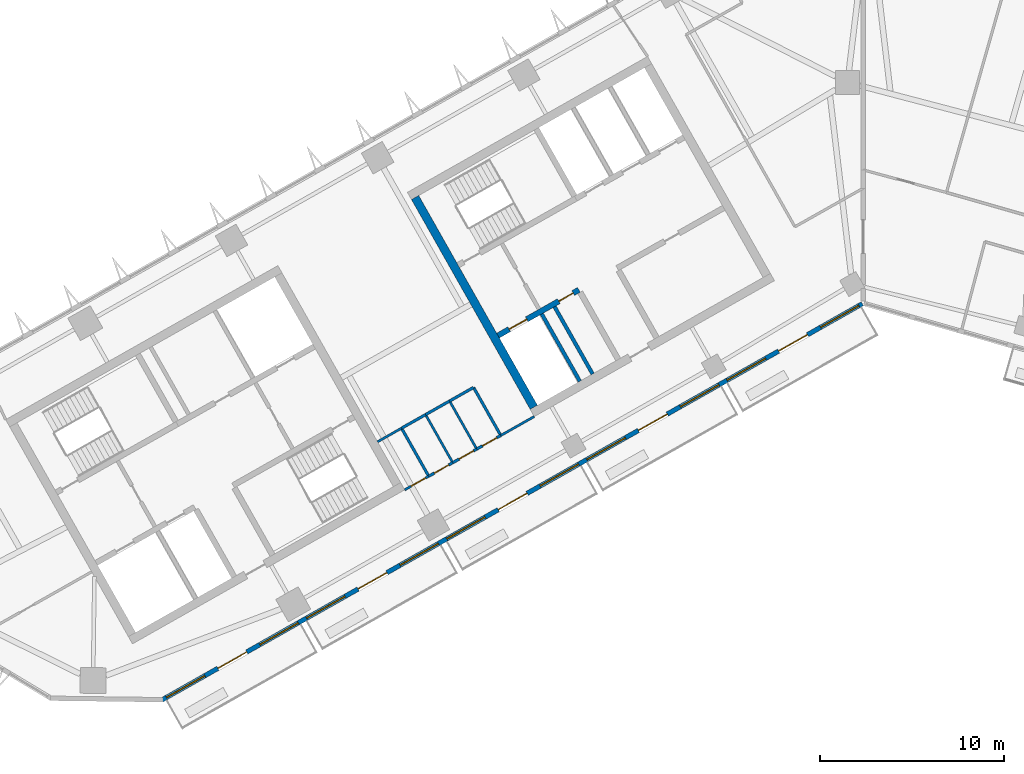
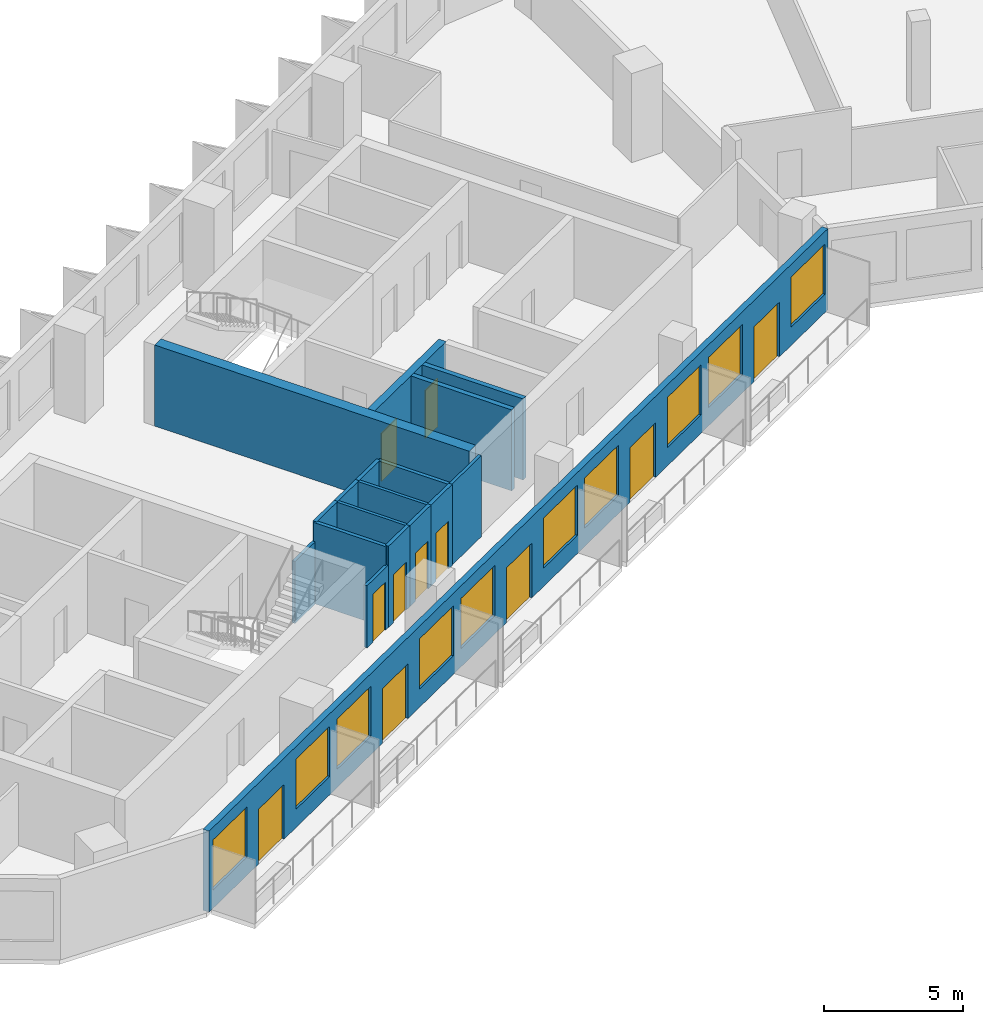
# One storey, part 5 of 12: 18 walls, 11 doors, 10 windows, 21 openings.
"""IFC4 building model written with IfcOpenShell, lengths in metres."""

from ifc_helpers import new_model, si_unit, direction, frame, frame_2d, origin, place, context, subcontext, project, spatial, rectangle, extrude, material, layer, layer_set, type_object, element, fill, save


model = new_model("IFC4")

# Units and contexts
model_context = context("Model", 3, precision=1e-05, world=origin(), true_north=direction((0.0, 1.0)))
body_context = subcontext(model_context, "Body", "Model", "MODEL_VIEW")
ifc_project = project(units=[si_unit("LENGTHUNIT", "METRE"), si_unit("AREAUNIT", "SQUARE_METRE"), si_unit("VOLUMEUNIT", "CUBIC_METRE"), si_unit("PLANEANGLEUNIT", "RADIAN"), si_unit("MASSUNIT", "GRAM", prefix="KILO")], contexts=[model_context])

# Site, building, storey
site_placement = place(None, origin())
site = spatial("IfcSite", under=ifc_project, at=site_placement, CompositionType="ELEMENT")
building_placement = place(site_placement, origin())
building = spatial("IfcBuilding", under=site, at=building_placement, Name="Binnacle Exchange Tower", CompositionType="ELEMENT")
storey_placement = place(building_placement, frame((0.0, 0.0, 254.300048828125)))
storey = spatial("IfcBuildingStorey", under=building, at=storey_placement, Name="L56", CompositionType="ELEMENT", Elevation=254.300048828125)

# Wall, openings, doors
ifc_material_1 = material(Name="Concrete C70/85", Category="concrete")
ifc_layer_1 = layer(ifc_material_1, 0.300048828125)
ifc_layer_set_1 = layer_set([ifc_layer_1], Name="Core wall - front 300")
wall_type_1 = type_object("IfcWallType", Name="Core wall - front 300", PredefinedType="SOLIDWALL", material=ifc_layer_set_1)
wall_1_placement = place(storey_placement, frame((-19.8486328125, 46.242431640625, 0.0), z_axis=(0.0, 0.0, 1.0), x_axis=(0.870347559728, 0.492437940532, 0.0)))
wall_1 = element("IfcWall", 1, at=wall_1_placement, inside=storey, type_object=wall_type_1, Name="Core wall CRWC2", PredefinedType="SOLIDWALL", context=body_context, shape_type="SweptSolid", body=[
    extrude(rectangle(XDim=5.050048828125, YDim=0.300048828125, at=frame_2d((2.52490234375, 0.0))), origin(), (0.0, 0.0, 1.0), 3.550048828125),
])
opening_1_placement = place(wall_1_placement, frame((0.7001953125, 0.0, 0.0)))
opening_1 = element("IfcOpeningElement", 2, at=opening_1_placement, cuts=wall_1, Name="Opening LD14", PredefinedType="OPENING", context=body_context, shape_type="SweptSolid", body=[
    extrude(rectangle(XDim=1.10009765625, YDim=2.10009765625, at=frame_2d((0.550048828125, 1.050048828125))), frame((0.0, 0.159912109375, 0.0), z_axis=(0.0, -1.0, 0.0), x_axis=(1.0, 0.0, 0.0)), (0.0, 0.0, 1.0), 0.320068359375),
])
opening_2_placement = place(wall_1_placement, frame((3.800048828125, 0.0, 0.0)))
opening_2 = element("IfcOpeningElement", 3, at=opening_2_placement, cuts=wall_1, Name="Opening DC14", PredefinedType="OPENING", context=body_context, shape_type="SweptSolid", body=[
    extrude(rectangle(XDim=0.89990234375, YDim=2.10009765625, at=frame_2d((0.449951171875, 1.050048828125))), frame((0.0, 0.159912109375, 0.0), z_axis=(0.0, -1.0, 0.0), x_axis=(1.0, 0.0, 0.0)), (0.0, 0.0, 1.0), 0.320068359375),
])
ifc_material_2 = material(Name="Steel door leaf", Category="steel")
door_type_1 = type_object("IfcDoorType", Name="Fire door - lift landing 1100", OperationType="NOTDEFINED", PredefinedType="DOOR", material=ifc_material_2)
door_1_placement = place(opening_1_placement, origin())
door_1 = element("IfcDoor", 4, at=door_1_placement, inside=storey, type_object=door_type_1, Name="Landing door LD14 L56", OperationType="DOUBLE_DOOR_SLIDING", OverallHeight=2.10009765625, OverallWidth=1.10009765625, PredefinedType="DOOR", context=body_context, shape_type="SweptSolid", body=[
    extrude(rectangle(XDim=1.10009765625, YDim=2.10009765625, at=frame_2d((0.550048828125, 1.050048828125))), frame((0.0, 0.02490234375, 0.0), z_axis=(0.0, -1.0, 0.0), x_axis=(1.0, 0.0, 0.0)), (0.0, 0.0, 1.0), 0.050048828125),
])
fill(opening_1, door_1)
door_type_2 = type_object("IfcDoorType", Name="Fire door 900", OperationType="NOTDEFINED", PredefinedType="DOOR", material=ifc_material_2)
door_2_placement = place(opening_2_placement, frame((0.89990234375, 0.0, 0.0), z_axis=(0.0, 0.0, 1.0), x_axis=(-1.0, 0.0, 0.0)))
door_2 = element("IfcDoor", 5, at=door_2_placement, inside=storey, type_object=door_type_2, Name="Core room door IT STORE", OperationType="SINGLE_SWING_LEFT", OverallHeight=2.10009765625, OverallWidth=0.89990234375, PredefinedType="DOOR", context=body_context, shape_type="SweptSolid", body=[
    extrude(rectangle(XDim=0.89990234375, YDim=2.10009765625, at=frame_2d((0.449951171875, 1.050048828125))), frame((0.0, 0.02490234375, 0.0), z_axis=(0.0, -1.0, 0.0), x_axis=(1.0, 0.0, 0.0)), (0.0, 0.0, 1.0), 0.050048828125),
])
fill(opening_2, door_2)

# Wall
ifc_layer_2 = layer(ifc_material_1, 0.449951171875)
ifc_layer_set_2 = layer_set([ifc_layer_2], Name="Core wall - outer 450")
wall_type_2 = type_object("IfcWallType", Name="Core wall - outer 450", PredefinedType="SOLIDWALL", material=ifc_layer_set_2)
wall_2_placement = place(storey_placement, frame((-24.353271484375, 53.747314453125, 0.0), z_axis=(0.0, 0.0, 1.0), x_axis=(0.492435496286, -0.870348942665, 0.0)))
element("IfcWall", 6, at=wall_2_placement, inside=storey, type_object=wall_type_2, Name="Core wall CRWC7", PredefinedType="SOLIDWALL", context=body_context, shape_type="SweptSolid", body=[
    extrude(rectangle(XDim=13.10009765625, YDim=0.449951171875, at=frame_2d((6.550048828125, 0.0))), origin(), (0.0, 0.0, 1.0), 3.550048828125),
])

# Wall, openings, doors, windows
ifc_material_3 = material(Name="Bronze aluminium cladding", Category="aluminium")
ifc_layer_3 = layer(ifc_material_3, 0.25)
ifc_layer_set_3 = layer_set([ifc_layer_3], Name="External wall - window wall 250")
wall_type_3 = type_object("IfcWallType", Name="External wall - window wall 250", PredefinedType="STANDARD", material=ifc_layer_set_3)
wall_3_placement = place(storey_placement, frame((-0.045654296875, 47.97412109375, 0.0), z_axis=(0.0, 0.0, 1.0), x_axis=(-0.870356579543, -0.492421998337, 0.0)))
wall_3 = element("IfcWall", 7, at=wall_3_placement, inside=storey, type_object=wall_type_3, Name="External wall EW-G01 L56", PredefinedType="STANDARD", context=body_context, shape_type="SweptSolid", body=[
    extrude(rectangle(XDim=43.75390625, YDim=0.25, at=frame_2d((21.876953125, 0.0))), origin(), (0.0, 0.0, 1.0), 3.550048828125),
])
opening_3_placement = place(wall_3_placement, frame((41.061279296875, 0.0, 0.800048828125)))
opening_3 = element("IfcOpeningElement", 8, at=opening_3_placement, cuts=wall_3, Name="Opening WR1", PredefinedType="OPENING", context=body_context, shape_type="SweptSolid", body=[
    extrude(rectangle(XDim=2.39990234375, YDim=2.199951171875, at=frame_2d((1.199951171875, 1.10009765625))), frame((0.0, 0.135009765625, 0.0), z_axis=(0.0, -1.0, 0.0), x_axis=(1.0, 0.0, 0.0)), (0.0, 0.0, 1.0), 0.27001953125),
])
opening_4_placement = place(wall_3_placement, frame((38.443115234375, 0.0, 0.0)))
opening_4 = element("IfcOpeningElement", 9, at=opening_4_placement, cuts=wall_3, Name="Opening D-FS15-01", PredefinedType="OPENING", context=body_context, shape_type="SweptSolid", body=[
    extrude(rectangle(XDim=1.800048828125, YDim=2.39990234375, at=frame_2d((0.89990234375, 1.199951171875))), frame((0.0, 0.135009765625, 0.0), z_axis=(0.0, -1.0, 0.0), x_axis=(1.0, 0.0, 0.0)), (0.0, 0.0, 1.0), 0.27001953125),
])
opening_5_placement = place(wall_3_placement, frame((35.224853515625, 0.0, 0.800048828125)))
opening_5 = element("IfcOpeningElement", 10, at=opening_5_placement, cuts=wall_3, Name="Opening WR1", PredefinedType="OPENING", context=body_context, shape_type="SweptSolid", body=[
    extrude(rectangle(XDim=2.39990234375, YDim=2.199951171875, at=frame_2d((1.199951171875, 1.10009765625))), frame((0.0, 0.135009765625, 0.0), z_axis=(0.0, -1.0, 0.0), x_axis=(1.0, 0.0, 0.0)), (0.0, 0.0, 1.0), 0.27001953125),
])
opening_6_placement = place(wall_3_placement, frame((32.306640625, 0.0, 0.800048828125)))
opening_6 = element("IfcOpeningElement", 11, at=opening_6_placement, cuts=wall_3, Name="Opening WR1", PredefinedType="OPENING", context=body_context, shape_type="SweptSolid", body=[
    extrude(rectangle(XDim=2.39990234375, YDim=2.199951171875, at=frame_2d((1.199951171875, 1.10009765625))), frame((0.0, 0.135009765625, 0.0), z_axis=(0.0, -1.0, 0.0), x_axis=(1.0, 0.0, 0.0)), (0.0, 0.0, 1.0), 0.27001953125),
])
opening_7_placement = place(wall_3_placement, frame((29.6884765625, 0.0, 0.0)))
opening_7 = element("IfcOpeningElement", 12, at=opening_7_placement, cuts=wall_3, Name="Opening D-FS15-02", PredefinedType="OPENING", context=body_context, shape_type="SweptSolid", body=[
    extrude(rectangle(XDim=1.800048828125, YDim=2.39990234375, at=frame_2d((0.89990234375, 1.199951171875))), frame((0.0, 0.135009765625, 0.0), z_axis=(0.0, -1.0, 0.0), x_axis=(1.0, 0.0, 0.0)), (0.0, 0.0, 1.0), 0.27001953125),
])
opening_8_placement = place(wall_3_placement, frame((26.47021484375, 0.0, 0.800048828125)))
opening_8 = element("IfcOpeningElement", 13, at=opening_8_placement, cuts=wall_3, Name="Opening WR1", PredefinedType="OPENING", context=body_context, shape_type="SweptSolid", body=[
    extrude(rectangle(XDim=2.39990234375, YDim=2.199951171875, at=frame_2d((1.199951171875, 1.10009765625))), frame((0.0, 0.135009765625, 0.0), z_axis=(0.0, -1.0, 0.0), x_axis=(1.0, 0.0, 0.0)), (0.0, 0.0, 1.0), 0.27001953125),
])
opening_9_placement = place(wall_3_placement, frame((23.552001953125, 0.0, 0.800048828125)))
opening_9 = element("IfcOpeningElement", 14, at=opening_9_placement, cuts=wall_3, Name="Opening WR1", PredefinedType="OPENING", context=body_context, shape_type="SweptSolid", body=[
    extrude(rectangle(XDim=2.39990234375, YDim=2.199951171875, at=frame_2d((1.199951171875, 1.10009765625))), frame((0.0, 0.135009765625, 0.0), z_axis=(0.0, -1.0, 0.0), x_axis=(1.0, 0.0, 0.0)), (0.0, 0.0, 1.0), 0.27001953125),
])
opening_10_placement = place(wall_3_placement, frame((20.93408203125, 0.0, 0.0)))
opening_10 = element("IfcOpeningElement", 15, at=opening_10_placement, cuts=wall_3, Name="Opening D-FS15-03", PredefinedType="OPENING", context=body_context, shape_type="SweptSolid", body=[
    extrude(rectangle(XDim=1.7998046875, YDim=2.39990234375, at=frame_2d((0.89990234375, 1.199951171875))), frame((0.0, 0.135009765625, 0.0), z_axis=(0.0, -1.0, 0.0), x_axis=(1.0, 0.0, 0.0)), (0.0, 0.0, 1.0), 0.27001953125),
])
opening_11_placement = place(wall_3_placement, frame((17.7158203125, 0.0, 0.800048828125)))
opening_11 = element("IfcOpeningElement", 16, at=opening_11_placement, cuts=wall_3, Name="Opening WR1", PredefinedType="OPENING", context=body_context, shape_type="SweptSolid", body=[
    extrude(rectangle(XDim=2.39990234375, YDim=2.199951171875, at=frame_2d((1.199951171875, 1.10009765625))), frame((0.0, 0.135009765625, 0.0), z_axis=(0.0, -1.0, 0.0), x_axis=(1.0, 0.0, 0.0)), (0.0, 0.0, 1.0), 0.27001953125),
])
opening_12_placement = place(wall_3_placement, frame((14.797607421875, 0.0, 0.800048828125)))
opening_12 = element("IfcOpeningElement", 17, at=opening_12_placement, cuts=wall_3, Name="Opening WR1", PredefinedType="OPENING", context=body_context, shape_type="SweptSolid", body=[
    extrude(rectangle(XDim=2.39990234375, YDim=2.199951171875, at=frame_2d((1.199951171875, 1.10009765625))), frame((0.0, 0.135009765625, 0.0), z_axis=(0.0, -1.0, 0.0), x_axis=(1.0, 0.0, 0.0)), (0.0, 0.0, 1.0), 0.27001953125),
])
opening_13_placement = place(wall_3_placement, frame((12.179443359375, 0.0, 0.0)))
opening_13 = element("IfcOpeningElement", 18, at=opening_13_placement, cuts=wall_3, Name="Opening D-FS15-04", PredefinedType="OPENING", context=body_context, shape_type="SweptSolid", body=[
    extrude(rectangle(XDim=1.800048828125, YDim=2.39990234375, at=frame_2d((0.89990234375, 1.199951171875))), frame((0.0, 0.135009765625, 0.0), z_axis=(0.0, -1.0, 0.0), x_axis=(1.0, 0.0, 0.0)), (0.0, 0.0, 1.0), 0.27001953125),
])
opening_14_placement = place(wall_3_placement, frame((8.961181640625, 0.0, 0.800048828125)))
opening_14 = element("IfcOpeningElement", 19, at=opening_14_placement, cuts=wall_3, Name="Opening WR1", PredefinedType="OPENING", context=body_context, shape_type="SweptSolid", body=[
    extrude(rectangle(XDim=2.39990234375, YDim=2.199951171875, at=frame_2d((1.199951171875, 1.10009765625))), frame((0.0, 0.135009765625, 0.0), z_axis=(0.0, -1.0, 0.0), x_axis=(1.0, 0.0, 0.0)), (0.0, 0.0, 1.0), 0.27001953125),
])
opening_15_placement = place(wall_3_placement, frame((6.04296875, 0.0, 0.800048828125)))
opening_15 = element("IfcOpeningElement", 20, at=opening_15_placement, cuts=wall_3, Name="Opening WR1", PredefinedType="OPENING", context=body_context, shape_type="SweptSolid", body=[
    extrude(rectangle(XDim=2.400146484375, YDim=2.199951171875, at=frame_2d((1.2001953125, 1.10009765625))), frame((0.0, 0.135009765625, 0.0), z_axis=(0.0, -1.0, 0.0), x_axis=(1.0, 0.0, 0.0)), (0.0, 0.0, 1.0), 0.27001953125),
])
opening_16_placement = place(wall_3_placement, frame((3.4248046875, 0.0, 0.0)))
opening_16 = element("IfcOpeningElement", 21, at=opening_16_placement, cuts=wall_3, Name="Opening D-FS15-05", PredefinedType="OPENING", context=body_context, shape_type="SweptSolid", body=[
    extrude(rectangle(XDim=1.800048828125, YDim=2.39990234375, at=frame_2d((0.89990234375, 1.199951171875))), frame((0.0, 0.135009765625, 0.0), z_axis=(0.0, -1.0, 0.0), x_axis=(1.0, 0.0, 0.0)), (0.0, 0.0, 1.0), 0.27001953125),
])
opening_17_placement = place(wall_3_placement, frame((0.206787109375, 0.0, 0.800048828125)))
opening_17 = element("IfcOpeningElement", 22, at=opening_17_placement, cuts=wall_3, Name="Opening WR1", PredefinedType="OPENING", context=body_context, shape_type="SweptSolid", body=[
    extrude(rectangle(XDim=2.39990234375, YDim=2.199951171875, at=frame_2d((1.199951171875, 1.10009765625))), frame((0.0, 0.135009765625, 0.0), z_axis=(0.0, -1.0, 0.0), x_axis=(1.0, 0.0, 0.0)), (0.0, 0.0, 1.0), 0.27001953125),
])
ifc_material_4 = material(Name="Bronze anodised aluminium frame", Category="aluminium")
door_type_3 = type_object("IfcDoorType", Name="DB DOOR 1800x2400", OperationType="DOUBLE_DOOR_SINGLE_SWING", PredefinedType="DOOR", material=ifc_material_4)
door_3_placement = place(opening_4_placement, origin())
door_3 = element("IfcDoor", 23, at=door_3_placement, inside=storey, type_object=door_type_3, Name="Door D-FS15-01 L56", OperationType="DOUBLE_DOOR_SINGLE_SWING", OverallHeight=2.39990234375, OverallWidth=1.800048828125, PredefinedType="DOOR", context=body_context, shape_type="SweptSolid", body=[
    extrude(rectangle(XDim=1.800048828125, YDim=2.39990234375, at=frame_2d((0.89990234375, 1.199951171875))), frame((0.0, 0.02490234375, 0.0), z_axis=(0.0, -1.0, 0.0), x_axis=(1.0, 0.0, 0.0)), (0.0, 0.0, 1.0), 0.050048828125),
])
fill(opening_4, door_3)
door_4_placement = place(opening_7_placement, origin())
door_4 = element("IfcDoor", 24, at=door_4_placement, inside=storey, type_object=door_type_3, Name="Door D-FS15-02 L56", OperationType="DOUBLE_DOOR_SINGLE_SWING", OverallHeight=2.39990234375, OverallWidth=1.800048828125, PredefinedType="DOOR", context=body_context, shape_type="SweptSolid", body=[
    extrude(rectangle(XDim=1.800048828125, YDim=2.39990234375, at=frame_2d((0.89990234375, 1.199951171875))), frame((0.0, 0.02490234375, 0.0), z_axis=(0.0, -1.0, 0.0), x_axis=(1.0, 0.0, 0.0)), (0.0, 0.0, 1.0), 0.050048828125),
])
fill(opening_7, door_4)
door_5_placement = place(opening_10_placement, origin())
door_5 = element("IfcDoor", 25, at=door_5_placement, inside=storey, type_object=door_type_3, Name="Door D-FS15-03 L56", OperationType="DOUBLE_DOOR_SINGLE_SWING", OverallHeight=2.39990234375, OverallWidth=1.7998046875, PredefinedType="DOOR", context=body_context, shape_type="SweptSolid", body=[
    extrude(rectangle(XDim=1.7998046875, YDim=2.39990234375, at=frame_2d((0.89990234375, 1.199951171875))), frame((0.0, 0.02490234375, 0.0), z_axis=(0.0, -1.0, 0.0), x_axis=(1.0, 0.0, 0.0)), (0.0, 0.0, 1.0), 0.050048828125),
])
fill(opening_10, door_5)
door_6_placement = place(opening_13_placement, origin())
door_6 = element("IfcDoor", 26, at=door_6_placement, inside=storey, type_object=door_type_3, Name="Door D-FS15-04 L56", OperationType="DOUBLE_DOOR_SINGLE_SWING", OverallHeight=2.39990234375, OverallWidth=1.800048828125, PredefinedType="DOOR", context=body_context, shape_type="SweptSolid", body=[
    extrude(rectangle(XDim=1.800048828125, YDim=2.39990234375, at=frame_2d((0.89990234375, 1.199951171875))), frame((0.0, 0.02490234375, 0.0), z_axis=(0.0, -1.0, 0.0), x_axis=(1.0, 0.0, 0.0)), (0.0, 0.0, 1.0), 0.050048828125),
])
fill(opening_13, door_6)
door_7_placement = place(opening_16_placement, origin())
door_7 = element("IfcDoor", 27, at=door_7_placement, inside=storey, type_object=door_type_3, Name="Door D-FS15-05 L56", OperationType="DOUBLE_DOOR_SINGLE_SWING", OverallHeight=2.39990234375, OverallWidth=1.800048828125, PredefinedType="DOOR", context=body_context, shape_type="SweptSolid", body=[
    extrude(rectangle(XDim=1.800048828125, YDim=2.39990234375, at=frame_2d((0.89990234375, 1.199951171875))), frame((0.0, 0.02490234375, 0.0), z_axis=(0.0, -1.0, 0.0), x_axis=(1.0, 0.0, 0.0)), (0.0, 0.0, 1.0), 0.050048828125),
])
fill(opening_16, door_7)
window_type = type_object("IfcWindowType", Name="WR1 WINDOW 2400x2200", PartitioningType="SINGLE_PANEL", PredefinedType="WINDOW", material=ifc_material_4)
window_1_placement = place(opening_3_placement, origin())
window_1 = element("IfcWindow", 28, at=window_1_placement, inside=storey, type_object=window_type, Name="Window WR1 L56", OverallHeight=2.199951171875, OverallWidth=2.39990234375, PartitioningType="SINGLE_PANEL", PredefinedType="WINDOW", context=body_context, shape_type="SweptSolid", body=[
    extrude(rectangle(XDim=2.39990234375, YDim=2.199951171875, at=frame_2d((1.199951171875, 1.10009765625))), frame((0.0, 0.030029296875, 0.0), z_axis=(0.0, -1.0, 0.0), x_axis=(1.0, 0.0, 0.0)), (0.0, 0.0, 1.0), 0.06005859375),
])
fill(opening_3, window_1)
window_2_placement = place(opening_5_placement, origin())
window_2 = element("IfcWindow", 29, at=window_2_placement, inside=storey, type_object=window_type, Name="Window WR1 L56", OverallHeight=2.199951171875, OverallWidth=2.39990234375, PartitioningType="SINGLE_PANEL", PredefinedType="WINDOW", context=body_context, shape_type="SweptSolid", body=[
    extrude(rectangle(XDim=2.39990234375, YDim=2.199951171875, at=frame_2d((1.199951171875, 1.10009765625))), frame((0.0, 0.030029296875, 0.0), z_axis=(0.0, -1.0, 0.0), x_axis=(1.0, 0.0, 0.0)), (0.0, 0.0, 1.0), 0.06005859375),
])
fill(opening_5, window_2)
window_3_placement = place(opening_6_placement, origin())
window_3 = element("IfcWindow", 30, at=window_3_placement, inside=storey, type_object=window_type, Name="Window WR1 L56", OverallHeight=2.199951171875, OverallWidth=2.39990234375, PartitioningType="SINGLE_PANEL", PredefinedType="WINDOW", context=body_context, shape_type="SweptSolid", body=[
    extrude(rectangle(XDim=2.39990234375, YDim=2.199951171875, at=frame_2d((1.199951171875, 1.10009765625))), frame((0.0, 0.030029296875, 0.0), z_axis=(0.0, -1.0, 0.0), x_axis=(1.0, 0.0, 0.0)), (0.0, 0.0, 1.0), 0.06005859375),
])
fill(opening_6, window_3)
window_4_placement = place(opening_8_placement, origin())
window_4 = element("IfcWindow", 31, at=window_4_placement, inside=storey, type_object=window_type, Name="Window WR1 L56", OverallHeight=2.199951171875, OverallWidth=2.39990234375, PartitioningType="SINGLE_PANEL", PredefinedType="WINDOW", context=body_context, shape_type="SweptSolid", body=[
    extrude(rectangle(XDim=2.39990234375, YDim=2.199951171875, at=frame_2d((1.199951171875, 1.10009765625))), frame((0.0, 0.030029296875, 0.0), z_axis=(0.0, -1.0, 0.0), x_axis=(1.0, 0.0, 0.0)), (0.0, 0.0, 1.0), 0.06005859375),
])
fill(opening_8, window_4)
window_5_placement = place(opening_9_placement, origin())
window_5 = element("IfcWindow", 32, at=window_5_placement, inside=storey, type_object=window_type, Name="Window WR1 L56", OverallHeight=2.199951171875, OverallWidth=2.39990234375, PartitioningType="SINGLE_PANEL", PredefinedType="WINDOW", context=body_context, shape_type="SweptSolid", body=[
    extrude(rectangle(XDim=2.39990234375, YDim=2.199951171875, at=frame_2d((1.199951171875, 1.10009765625))), frame((0.0, 0.030029296875, 0.0), z_axis=(0.0, -1.0, 0.0), x_axis=(1.0, 0.0, 0.0)), (0.0, 0.0, 1.0), 0.06005859375),
])
fill(opening_9, window_5)
window_6_placement = place(opening_11_placement, origin())
window_6 = element("IfcWindow", 33, at=window_6_placement, inside=storey, type_object=window_type, Name="Window WR1 L56", OverallHeight=2.199951171875, OverallWidth=2.39990234375, PartitioningType="SINGLE_PANEL", PredefinedType="WINDOW", context=body_context, shape_type="SweptSolid", body=[
    extrude(rectangle(XDim=2.39990234375, YDim=2.199951171875, at=frame_2d((1.199951171875, 1.10009765625))), frame((0.0, 0.030029296875, 0.0), z_axis=(0.0, -1.0, 0.0), x_axis=(1.0, 0.0, 0.0)), (0.0, 0.0, 1.0), 0.06005859375),
])
fill(opening_11, window_6)
window_7_placement = place(opening_12_placement, origin())
window_7 = element("IfcWindow", 34, at=window_7_placement, inside=storey, type_object=window_type, Name="Window WR1 L56", OverallHeight=2.199951171875, OverallWidth=2.39990234375, PartitioningType="SINGLE_PANEL", PredefinedType="WINDOW", context=body_context, shape_type="SweptSolid", body=[
    extrude(rectangle(XDim=2.39990234375, YDim=2.199951171875, at=frame_2d((1.199951171875, 1.10009765625))), frame((0.0, 0.030029296875, 0.0), z_axis=(0.0, -1.0, 0.0), x_axis=(1.0, 0.0, 0.0)), (0.0, 0.0, 1.0), 0.06005859375),
])
fill(opening_12, window_7)
window_8_placement = place(opening_14_placement, origin())
window_8 = element("IfcWindow", 35, at=window_8_placement, inside=storey, type_object=window_type, Name="Window WR1 L56", OverallHeight=2.199951171875, OverallWidth=2.39990234375, PartitioningType="SINGLE_PANEL", PredefinedType="WINDOW", context=body_context, shape_type="SweptSolid", body=[
    extrude(rectangle(XDim=2.39990234375, YDim=2.199951171875, at=frame_2d((1.199951171875, 1.10009765625))), frame((0.0, 0.030029296875, 0.0), z_axis=(0.0, -1.0, 0.0), x_axis=(1.0, 0.0, 0.0)), (0.0, 0.0, 1.0), 0.06005859375),
])
fill(opening_14, window_8)
window_9_placement = place(opening_15_placement, origin())
window_9 = element("IfcWindow", 36, at=window_9_placement, inside=storey, type_object=window_type, Name="Window WR1 L56", OverallHeight=2.199951171875, OverallWidth=2.400146484375, PartitioningType="SINGLE_PANEL", PredefinedType="WINDOW", context=body_context, shape_type="SweptSolid", body=[
    extrude(rectangle(XDim=2.400146484375, YDim=2.199951171875, at=frame_2d((1.2001953125, 1.10009765625))), frame((0.0, 0.030029296875, 0.0), z_axis=(0.0, -1.0, 0.0), x_axis=(1.0, 0.0, 0.0)), (0.0, 0.0, 1.0), 0.06005859375),
])
fill(opening_15, window_9)
window_10_placement = place(opening_17_placement, origin())
window_10 = element("IfcWindow", 37, at=window_10_placement, inside=storey, type_object=window_type, Name="Window WR1 L56", OverallHeight=2.199951171875, OverallWidth=2.39990234375, PartitioningType="SINGLE_PANEL", PredefinedType="WINDOW", context=body_context, shape_type="SweptSolid", body=[
    extrude(rectangle(XDim=2.39990234375, YDim=2.199951171875, at=frame_2d((1.199951171875, 1.10009765625))), frame((0.0, 0.030029296875, 0.0), z_axis=(0.0, -1.0, 0.0), x_axis=(1.0, 0.0, 0.0)), (0.0, 0.0, 1.0), 0.06005859375),
])
fill(opening_17, window_10)

# Walls
ifc_material_5 = material(Name="Gypsum partition fire rated")
ifc_layer_4 = layer(ifc_material_5, 0.14990234375)
ifc_layer_set_4 = layer_set([ifc_layer_4], Name="Fire-rated partition 150")
wall_type_4 = type_object("IfcWallType", Name="Fire-rated partition 150", PredefinedType="PARTITIONING", material=ifc_layer_set_4)
wall_4_placement = place(storey_placement, frame((-25.090087890625, 41.208984375, 0.0), z_axis=(0.0, 0.0, 1.0), x_axis=(0.870468812868, 0.492223573008, 0.0)))
element("IfcWall", 38, at=wall_4_placement, inside=storey, type_object=wall_type_4, Name="Partition W04", PredefinedType="PARTITIONING", context=body_context, shape_type="SweptSolid", body=[
    extrude(rectangle(XDim=1.49951171875, YDim=0.14990234375, at=frame_2d((0.749755859375, 0.0))), origin(), (0.0, 0.0, 1.0), 3.550048828125),
])
wall_5_placement = place(storey_placement, frame((-25.090087890625, 41.208984375, 0.0), z_axis=(0.0, 0.0, 1.0), x_axis=(0.492365617434, -0.870388475779, 0.0)))
element("IfcWall", 39, at=wall_5_placement, inside=storey, type_object=wall_type_4, Name="Partition W05", PredefinedType="PARTITIONING", context=body_context, shape_type="SweptSolid", body=[
    extrude(rectangle(XDim=3.0, YDim=0.14990234375, at=frame_2d((1.5, 0.0))), origin(), (0.0, 0.0, 1.0), 3.550048828125),
])
wall_6_placement = place(storey_placement, frame((-23.784912109375, 41.947021484375, 0.0), z_axis=(0.0, 0.0, 1.0), x_axis=(0.870308175411, 0.492507542899, 0.0)))
element("IfcWall", 40, at=wall_6_placement, inside=storey, type_object=wall_type_4, Name="Partition W07", PredefinedType="PARTITIONING", context=body_context, shape_type="SweptSolid", body=[
    extrude(rectangle(XDim=1.50048828125, YDim=0.14990234375, at=frame_2d((0.750244140625, 0.0))), origin(), (0.0, 0.0, 1.0), 3.550048828125),
])

# Wall, opening, door
wall_7_placement = place(storey_placement, frame((-23.613037109375, 38.597900390625, 0.0), z_axis=(0.0, 0.0, 1.0), x_axis=(0.870429354291, 0.492293346683, 0.0)))
wall_7 = element("IfcWall", 41, at=wall_7_placement, inside=storey, type_object=wall_type_4, Name="Partition W09", PredefinedType="PARTITIONING", context=body_context, shape_type="SweptSolid", body=[
    extrude(rectangle(XDim=1.499267578125, YDim=0.14990234375, at=frame_2d((0.74951171875, 0.0))), origin(), (0.0, 0.0, 1.0), 3.550048828125),
])
opening_18_placement = place(wall_7_placement, frame((0.35009765625, 0.0, 0.0)))
opening_18 = element("IfcOpeningElement", 42, at=opening_18_placement, cuts=wall_7, Name="Opening DL55-03", PredefinedType="OPENING", context=body_context, shape_type="SweptSolid", body=[
    extrude(rectangle(XDim=0.89990234375, YDim=2.10009765625, at=frame_2d((0.449951171875, 1.050048828125))), frame((0.0, 0.0849609375, 0.0), z_axis=(0.0, -1.0, 0.0), x_axis=(1.0, 0.0, 0.0)), (0.0, 0.0, 1.0), 0.169921875),
])
door_8_placement = place(opening_18_placement, origin())
door_8 = element("IfcDoor", 43, at=door_8_placement, inside=storey, type_object=door_type_2, Name="Door DL55-03", OperationType="SINGLE_SWING_RIGHT", OverallHeight=2.10009765625, OverallWidth=0.89990234375, PredefinedType="DOOR", context=body_context, shape_type="SweptSolid", body=[
    extrude(rectangle(XDim=0.89990234375, YDim=2.10009765625, at=frame_2d((0.449951171875, 1.050048828125))), frame((0.0, 0.02490234375, 0.0), z_axis=(0.0, -1.0, 0.0), x_axis=(1.0, 0.0, 0.0)), (0.0, 0.0, 1.0), 0.050048828125),
])
fill(opening_18, door_8)

# Wall
wall_8_placement = place(storey_placement, frame((-22.47900390625, 42.68603515625, 0.0), z_axis=(0.0, 0.0, 1.0), x_axis=(0.870150176056, 0.492786638526, 0.0)))
element("IfcWall", 44, at=wall_8_placement, inside=storey, type_object=wall_type_4, Name="Partition W10", PredefinedType="PARTITIONING", context=body_context, shape_type="SweptSolid", body=[
    extrude(rectangle(XDim=1.499755859375, YDim=0.14990234375, at=frame_2d((0.75, 0.0))), origin(), (0.0, 0.0, 1.0), 3.550048828125),
])

# Wall, opening, door
wall_9_placement = place(storey_placement, frame((-22.30810546875, 39.3359375, 0.0), z_axis=(0.0, 0.0, 1.0), x_axis=(0.870347633314, 0.492437810475, 0.0)))
wall_9 = element("IfcWall", 45, at=wall_9_placement, inside=storey, type_object=wall_type_4, Name="Partition W12", PredefinedType="PARTITIONING", context=body_context, shape_type="SweptSolid", body=[
    extrude(rectangle(XDim=1.500732421875, YDim=0.14990234375, at=frame_2d((0.75048828125, 0.0))), origin(), (0.0, 0.0, 1.0), 3.550048828125),
])
opening_19_placement = place(wall_9_placement, frame((0.39990234375, 0.0, 0.0)))
opening_19 = element("IfcOpeningElement", 46, at=opening_19_placement, cuts=wall_9, Name="Opening DL55-04", PredefinedType="OPENING", context=body_context, shape_type="SweptSolid", body=[
    extrude(rectangle(XDim=0.89990234375, YDim=2.10009765625, at=frame_2d((0.449951171875, 1.050048828125))), frame((0.0, 0.0849609375, 0.0), z_axis=(0.0, -1.0, 0.0), x_axis=(1.0, 0.0, 0.0)), (0.0, 0.0, 1.0), 0.169921875),
])
door_9_placement = place(opening_19_placement, origin())
door_9 = element("IfcDoor", 47, at=door_9_placement, inside=storey, type_object=door_type_2, Name="Door DL55-04", OperationType="SINGLE_SWING_RIGHT", OverallHeight=2.10009765625, OverallWidth=0.89990234375, PredefinedType="DOOR", context=body_context, shape_type="SweptSolid", body=[
    extrude(rectangle(XDim=0.89990234375, YDim=2.10009765625, at=frame_2d((0.449951171875, 1.050048828125))), frame((0.0, 0.02490234375, 0.0), z_axis=(0.0, -1.0, 0.0), x_axis=(1.0, 0.0, 0.0)), (0.0, 0.0, 1.0), 0.050048828125),
])
fill(opening_19, door_9)

# Wall
wall_10_placement = place(storey_placement, frame((-21.174072265625, 43.425048828125, 0.0), z_axis=(0.0, 0.0, 1.0), x_axis=(0.492365617434, -0.870388475779, 0.0)))
element("IfcWall", 48, at=wall_10_placement, inside=storey, type_object=wall_type_4, Name="Partition W13", PredefinedType="PARTITIONING", context=body_context, shape_type="SweptSolid", body=[
    extrude(rectangle(XDim=3.0, YDim=0.14990234375, at=frame_2d((1.5, 0.0))), origin(), (0.0, 0.0, 1.0), 3.550048828125),
])

# Wall, opening, door
wall_11_placement = place(storey_placement, frame((-21.001953125, 40.074951171875, 0.0), z_axis=(0.0, 0.0, 1.0), x_axis=(0.870150176056, 0.492786638526, 0.0)))
wall_11 = element("IfcWall", 49, at=wall_11_placement, inside=storey, type_object=wall_type_4, Name="Partition W14", PredefinedType="PARTITIONING", context=body_context, shape_type="SweptSolid", body=[
    extrude(rectangle(XDim=1.499755859375, YDim=0.14990234375, at=frame_2d((0.75, 0.0))), origin(), (0.0, 0.0, 1.0), 3.550048828125),
])
opening_20_placement = place(wall_11_placement, frame((0.35009765625, 0.0, 0.0)))
opening_20 = element("IfcOpeningElement", 50, at=opening_20_placement, cuts=wall_11, Name="Opening DL55-05", PredefinedType="OPENING", context=body_context, shape_type="SweptSolid", body=[
    extrude(rectangle(XDim=0.89990234375, YDim=2.10009765625, at=frame_2d((0.449951171875, 1.050048828125))), frame((0.0, 0.0849609375, 0.0), z_axis=(0.0, -1.0, 0.0), x_axis=(1.0, 0.0, 0.0)), (0.0, 0.0, 1.0), 0.169921875),
])
door_10_placement = place(opening_20_placement, origin())
door_10 = element("IfcDoor", 51, at=door_10_placement, inside=storey, type_object=door_type_2, Name="Door DL55-05", OperationType="SINGLE_SWING_RIGHT", OverallHeight=2.10009765625, OverallWidth=0.89990234375, PredefinedType="DOOR", context=body_context, shape_type="SweptSolid", body=[
    extrude(rectangle(XDim=0.89990234375, YDim=2.10009765625, at=frame_2d((0.449951171875, 1.050048828125))), frame((0.0, 0.02490234375, 0.0), z_axis=(0.0, -1.0, 0.0), x_axis=(1.0, 0.0, 0.0)), (0.0, 0.0, 1.0), 0.050048828125),
])
fill(opening_20, door_10)

# Wall
ifc_material_6 = material(Name="Gypsum partition")
ifc_layer_5 = layer(ifc_material_6, 0.125)
ifc_layer_set_5 = layer_set([ifc_layer_5], Name="Partition 125")
wall_type_5 = type_object("IfcWallType", Name="Partition 125", PredefinedType="PARTITIONING", material=ifc_layer_set_5)
wall_12_placement = place(storey_placement, frame((-26.39599609375, 40.469970703125, 0.0), z_axis=(0.0, 0.0, 1.0), x_axis=(0.870308175411, 0.492507542899, 0.0)))
element("IfcWall", 52, at=wall_12_placement, inside=storey, type_object=wall_type_5, Name="Partition W03", PredefinedType="PARTITIONING", context=body_context, shape_type="SweptSolid", body=[
    extrude(rectangle(XDim=1.50048828125, YDim=0.125, at=frame_2d((0.750244140625, 0.0))), origin(), (0.0, 0.0, 1.0), 2.721923828125),
])

# Wall, opening, door
wall_13_placement = place(storey_placement, frame((-24.9189453125, 37.85888671875, 0.0), z_axis=(0.0, 0.0, 1.0), x_axis=(0.870308175411, 0.492507542899, 0.0)))
wall_13 = element("IfcWall", 53, at=wall_13_placement, inside=storey, type_object=wall_type_5, Name="Partition W06", PredefinedType="PARTITIONING", context=body_context, shape_type="SweptSolid", body=[
    extrude(rectangle(XDim=1.50048828125, YDim=0.125, at=frame_2d((0.750244140625, 0.0))), origin(), (0.0, 0.0, 1.0), 2.721923828125),
])
opening_21_placement = place(wall_13_placement, frame((0.39990234375, 0.0, 0.0)))
opening_21 = element("IfcOpeningElement", 54, at=opening_21_placement, cuts=wall_13, Name="Opening DL55-02", PredefinedType="OPENING", context=body_context, shape_type="SweptSolid", body=[
    extrude(rectangle(XDim=0.89990234375, YDim=2.10009765625, at=frame_2d((0.449951171875, 1.050048828125))), frame((0.0, 0.072509765625, 0.0), z_axis=(0.0, -1.0, 0.0), x_axis=(1.0, 0.0, 0.0)), (0.0, 0.0, 1.0), 0.14501953125),
])
ifc_material_7 = material(Name="Timber door leaf", Category="wood")
door_type_4 = type_object("IfcDoorType", Name="Door 900", OperationType="NOTDEFINED", PredefinedType="DOOR", material=ifc_material_7)
door_11_placement = place(opening_21_placement, origin())
door_11 = element("IfcDoor", 55, at=door_11_placement, inside=storey, type_object=door_type_4, Name="Door DL55-02", OperationType="SINGLE_SWING_RIGHT", OverallHeight=2.10009765625, OverallWidth=0.89990234375, PredefinedType="DOOR", context=body_context, shape_type="SweptSolid", body=[
    extrude(rectangle(XDim=0.89990234375, YDim=2.10009765625, at=frame_2d((0.449951171875, 1.050048828125))), frame((0.0, 0.02490234375, 0.0), z_axis=(0.0, -1.0, 0.0), x_axis=(1.0, 0.0, 0.0)), (0.0, 0.0, 1.0), 0.050048828125),
])
fill(opening_21, door_11)

# Walls
wall_14_placement = place(storey_placement, frame((-23.784912109375, 41.947021484375, 0.0), z_axis=(0.0, 0.0, 1.0), x_axis=(0.492303960105, -0.870423351516, 0.0)))
element("IfcWall", 56, at=wall_14_placement, inside=storey, type_object=wall_type_5, Name="Partition W08", PredefinedType="PARTITIONING", context=body_context, shape_type="SweptSolid", body=[
    extrude(rectangle(XDim=2.999755859375, YDim=0.125, at=frame_2d((1.5, 0.0))), origin(), (0.0, 0.0, 1.0), 3.550048828125),
])
wall_15_placement = place(storey_placement, frame((-22.47900390625, 42.68603515625, 0.0), z_axis=(0.0, 0.0, 1.0), x_axis=(0.492365617434, -0.870388475779, 0.0)))
element("IfcWall", 57, at=wall_15_placement, inside=storey, type_object=wall_type_5, Name="Partition W11", PredefinedType="PARTITIONING", context=body_context, shape_type="SweptSolid", body=[
    extrude(rectangle(XDim=3.0, YDim=0.125, at=frame_2d((1.5, 0.0))), origin(), (0.0, 0.0, 1.0), 3.550048828125),
])
wall_16_placement = place(storey_placement, frame((-19.697021484375, 40.81396484375, 0.0), z_axis=(0.0, 0.0, 1.0), x_axis=(0.870497588791, 0.492172680986, 0.0)))
element("IfcWall", 58, at=wall_16_placement, inside=storey, type_object=wall_type_5, Name="Partition W15", PredefinedType="PARTITIONING", context=body_context, shape_type="SweptSolid", body=[
    extrude(rectangle(XDim=2.0908203125, YDim=0.125, at=frame_2d((1.04541015625, 0.0))), origin(), (0.0, 0.0, 1.0), 3.550048828125),
])
ifc_material_8 = material(Name="Masonry block wall", Category="masonry")
ifc_layer_6 = layer(ifc_material_8, 0.199951171875)
ifc_layer_set_6 = layer_set([ifc_layer_6], Name="Riser wall 200")
wall_type_6 = type_object("IfcWallType", Name="Riser wall 200", PredefinedType="SOLIDWALL", material=ifc_layer_set_6)
for number, where, z_axis, x_axis, name in (
    (59, (-17.468505859375, 47.416748046875, 0.0), (0.0, 0.0, 1.0), (0.492453686477, -0.870338650569, 0.0), "Core wall CRWC8"),
    (60, (-16.772216796875, 47.810791015625, 0.0), (0.0, 0.0, 1.0), (0.492453686477, -0.870338650569, 0.0), "Core wall CRWC11"),
):
    element("IfcWall", number, at=place(storey_placement, frame(where, z_axis=z_axis, x_axis=x_axis)), inside=storey, type_object=wall_type_6, Name=name, PredefinedType="SOLIDWALL", context=body_context, shape_type="SweptSolid", body=[
        extrude(rectangle(XDim=4.2001953125, YDim=0.199951171875, at=frame_2d((2.10009765625, 0.0))), origin(), (0.0, 0.0, 1.0), 3.550048828125),
    ])

save(model, "model.ifc")
